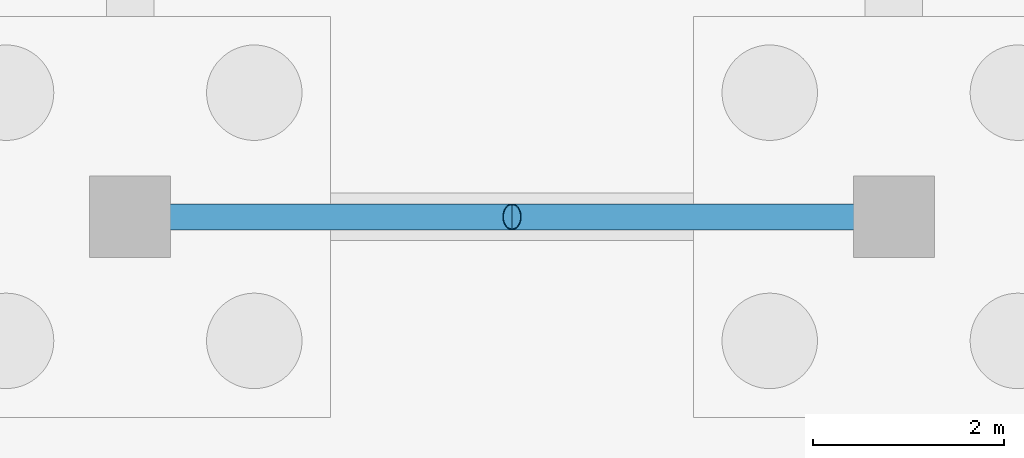
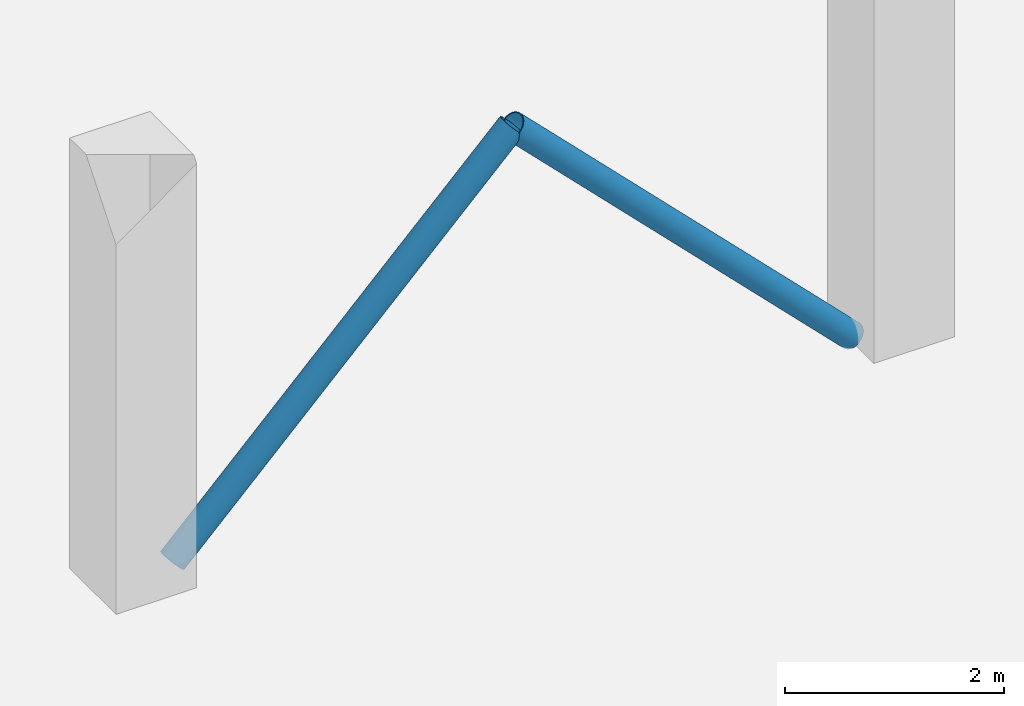
# One storey, part 31 of 72: 2 members.
"""IFC4 building model written with IfcOpenShell, lengths in metres."""

from ifc_helpers import new_model, si_unit, direction, frame, origin, origin_2d, place, context, subcontext, project, spatial, hollow_circle, extrude, material, material_profile, profile_set, type_object, element, save


model = new_model("IFC4")

# Units and contexts
model_context = context("Model", 3, precision=1e-05, world=origin(), true_north=direction((0.0, 1.0)))
body_context = subcontext(model_context, "Body", "Model", "MODEL_VIEW")
ifc_project = project(units=[si_unit("LENGTHUNIT", "METRE"), si_unit("AREAUNIT", "SQUARE_METRE"), si_unit("VOLUMEUNIT", "CUBIC_METRE"), si_unit("PLANEANGLEUNIT", "RADIAN"), si_unit("MASSUNIT", "GRAM", prefix="KILO"), si_unit("THERMODYNAMICTEMPERATUREUNIT", "KELVIN"), si_unit("POWERUNIT", "WATT")], contexts=[model_context])

# Site, building, storey
site_placement = place(None, origin())
site = spatial("IfcSite", under=ifc_project, at=site_placement, CompositionType="ELEMENT")
building_placement = place(site_placement, origin())
building = spatial("IfcBuilding", under=site, at=building_placement, Name="Kronsvod Quay Wholesale Market", CompositionType="ELEMENT")
storey_placement = place(building_placement, origin())
storey = spatial("IfcBuildingStorey", under=building, at=storey_placement, Name="L00", CompositionType="ELEMENT", Elevation=0.0)

# Members
ifc_material = material(Name="Steel S355", Category="steel")
ifc_material_profile = material_profile(ifc_material, hollow_circle(Radius=0.136474609375, WallThickness=0.010009765625, at=origin_2d()), Name="CHS273x10")
ifc_profile_set = profile_set([ifc_material_profile], Name="Steel S355")
member_type = type_object("IfcMemberType", Name="Member_Brace273x10", PredefinedType="BRACE", material=ifc_profile_set)
for number, where, z_axis, x_axis, name in (
    (1, (144.4150390625, 78.0, 0.050048828125), (0.705639584744, 0.0, 0.708570939598), (0.0, 1.0, 0.0), "BRCG-L00-1440-780-A"),
    (2, (151.5849609375, 78.0, 0.050048828125), (-0.705639584744, 0.0, 0.708570939598), (0.0, -1.0, 0.0), "BRCG-L00-1440-780-B"),
):
    element("IfcMember", number, at=place(storey_placement, frame(where, z_axis=z_axis, x_axis=x_axis)), inside=storey, type_object=member_type, Name=name, PredefinedType="BRACE", context=body_context, shape_type="SweptSolid", body=[
        extrude(hollow_circle(Radius=0.136474609375, WallThickness=0.010009765625, at=origin_2d()), origin(), (0.0, 0.0, 1.0), 5.080322265625),
    ])

save(model, "model.ifc")
